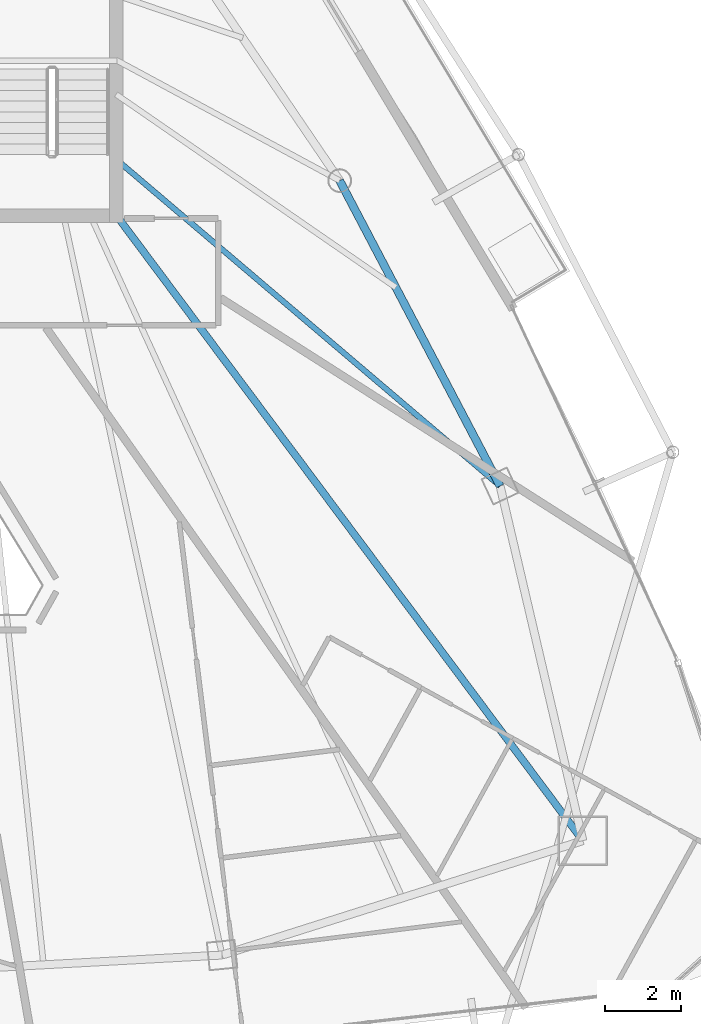
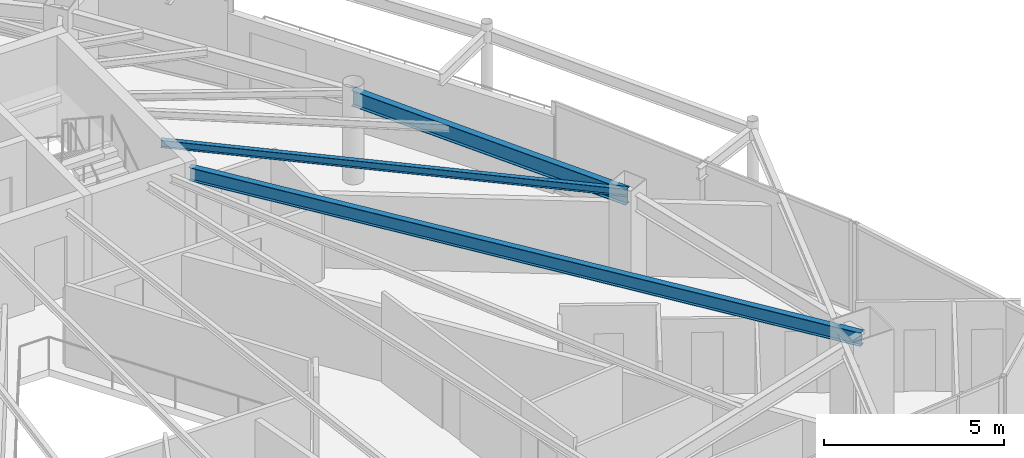
# One storey, part 19 of 33: 3 beams.
"""IFC4 building model written with IfcOpenShell, lengths in metres."""

from ifc_helpers import new_model, si_unit, direction, frame, origin, origin_2d, place, context, subcontext, project, spatial, i_section, extrude, material, material_profile, profile_set, type_object, element, save


model = new_model("IFC4")

# Units and contexts
model_context = context("Model", 3, precision=1e-05, world=origin(), true_north=direction((0.0, 1.0)))
body_context = subcontext(model_context, "Body", "Model", "MODEL_VIEW")
ifc_project = project(units=[si_unit("LENGTHUNIT", "METRE"), si_unit("AREAUNIT", "SQUARE_METRE"), si_unit("VOLUMEUNIT", "CUBIC_METRE"), si_unit("PLANEANGLEUNIT", "RADIAN"), si_unit("MASSUNIT", "GRAM", prefix="KILO")], contexts=[model_context])

# Site, building, storey
site_placement = place(None, origin())
site = spatial("IfcSite", under=ifc_project, at=site_placement, CompositionType="ELEMENT")
building_placement = place(site_placement, origin())
building = spatial("IfcBuilding", under=site, at=building_placement, Name="Orvanel Arch Residences", CompositionType="ELEMENT")
storey_placement = place(building_placement, frame((0.0, 0.0, 209.60009765625)))
storey = spatial("IfcBuildingStorey", under=building, at=storey_placement, Name="L59", CompositionType="ELEMENT", Elevation=209.60009765625)

# Beams
ifc_material = material(Name="Structural steel AS/NZS 3679.1 Grade 300 (300 MPa)", Category="steel")
ifc_material_profile_1 = material_profile(ifc_material, i_section(OverallWidth=0.19091796875, OverallDepth=0.4599609375, WebThickness=0.010009765625, FlangeThickness=0.01611328125, at=origin_2d()), Name="460UB82.1")
ifc_profile_set_1 = profile_set([ifc_material_profile_1], Name="Structural steel AS/NZS 3679.1 Grade 300 (300 MPa)")
beam_type_1 = type_object("IfcBeamType", Name="BG-460UB", PredefinedType="BEAM", material=ifc_profile_set_1)
beam_1_placement = place(storey_placement, frame((39.625, 26.675048828125, 2.829833984375), z_axis=(0.597893733742, -0.801575375839, 0.0), x_axis=(0.801575375839, 0.597893733742, 0.0)))
element("IfcBeam", 1, at=beam_1_placement, inside=storey, type_object=beam_type_1, Name="L59 South-East Radial Girder", PredefinedType="BEAM", context=body_context, shape_type="SweptSolid", body=[
    extrude(i_section(OverallWidth=0.19091796875, OverallDepth=0.4599609375, WebThickness=0.010009765625, FlangeThickness=0.01611328125, at=origin_2d()), origin(), (0.0, 0.0, 1.0), 20.36474609375),
])
ifc_material_profile_2 = material_profile(ifc_material, i_section(OverallWidth=0.14599609375, OverallDepth=0.251953125, WebThickness=0.006103515625, FlangeThickness=0.008544921875, at=origin_2d()), Name="250UB31.4")
ifc_profile_set_2 = profile_set([ifc_material_profile_2], Name="Structural steel AS/NZS 3679.1 Grade 300 (300 MPa)")
beam_type_2 = type_object("IfcBeamType", Name="BJ-250UB", PredefinedType="JOIST", material=ifc_profile_set_2)
beam_2_placement = place(storey_placement, frame((39.574951171875, 28.199951171875, 2.933837890625), z_axis=(0.761622669031, -0.64802076357, 0.0), x_axis=(0.64802076357, 0.761622669031, 0.0)))
element("IfcBeam", 2, at=beam_2_placement, inside=storey, type_object=beam_type_2, Name="L59 E Wing Floor Joist", PredefinedType="JOIST", context=body_context, shape_type="SweptSolid", body=[
    extrude(i_section(OverallWidth=0.14599609375, OverallDepth=0.251953125, WebThickness=0.006103515625, FlangeThickness=0.008544921875, at=origin_2d()), origin(), (0.0, 0.0, 1.0), 13.2060546875),
])
ifc_material_profile_3 = material_profile(ifc_material, i_section(OverallWidth=0.208984375, OverallDepth=0.532958984375, WebThickness=0.01025390625, FlangeThickness=0.015625, at=origin_2d()), Name="530UB92.4")
ifc_profile_set_3 = profile_set([ifc_material_profile_3], Name="Structural steel AS/NZS 3679.1 Grade 300 (300 MPa)")
beam_type_3 = type_object("IfcBeamType", Name="SP-530UB", PredefinedType="SPANDREL", material=ifc_profile_set_3)
beam_3_placement = place(storey_placement, frame((49.633056640625, 19.64208984375, 2.79296875), z_axis=(-0.465064762793, 0.885276660942, 0.0), x_axis=(-0.885276660942, -0.465064762793, 0.0)))
element("IfcBeam", 3, at=beam_3_placement, inside=storey, type_object=beam_type_3, Name="L59 Perimeter Spandrel Beam 07", PredefinedType="SPANDREL", context=body_context, shape_type="SweptSolid", body=[
    extrude(i_section(OverallWidth=0.208984375, OverallDepth=0.532958984375, WebThickness=0.01025390625, FlangeThickness=0.015625, at=origin_2d()), origin(), (0.0, 0.0, 1.0), 9.03564453125),
])

save(model, "model.ifc")
